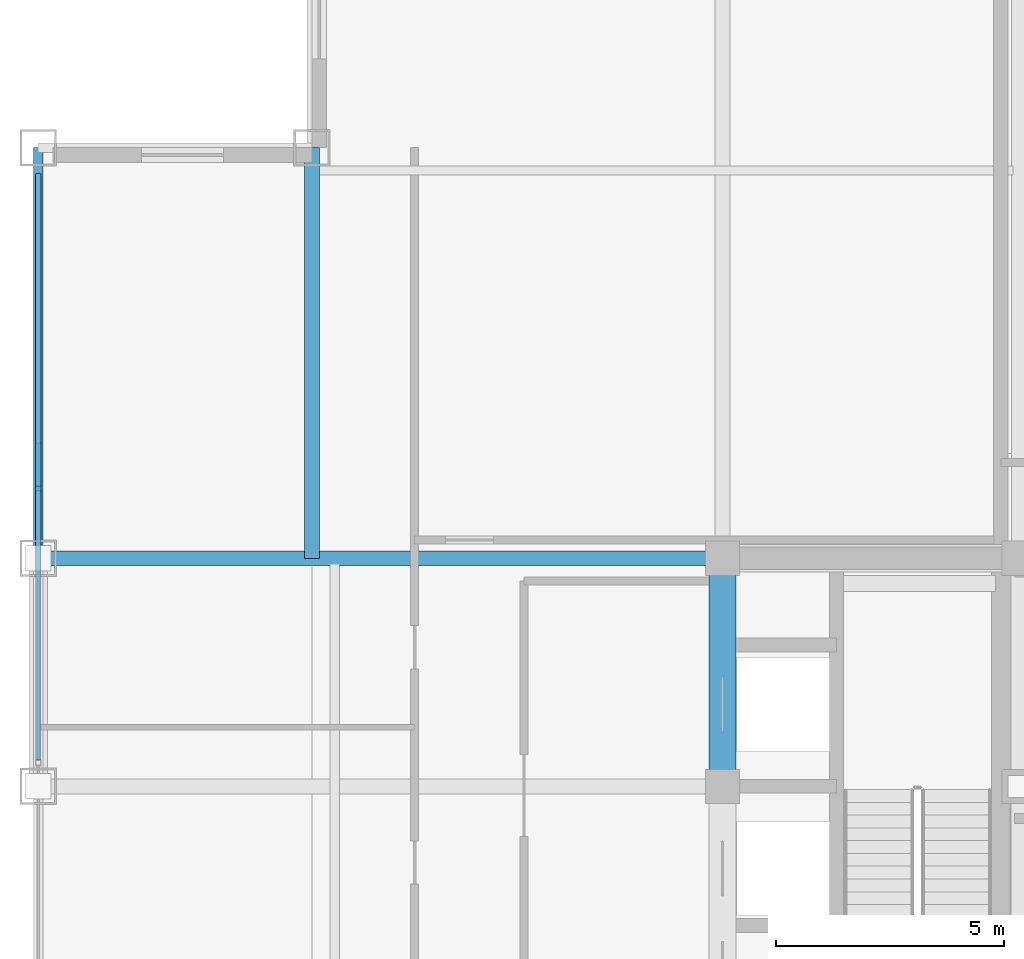
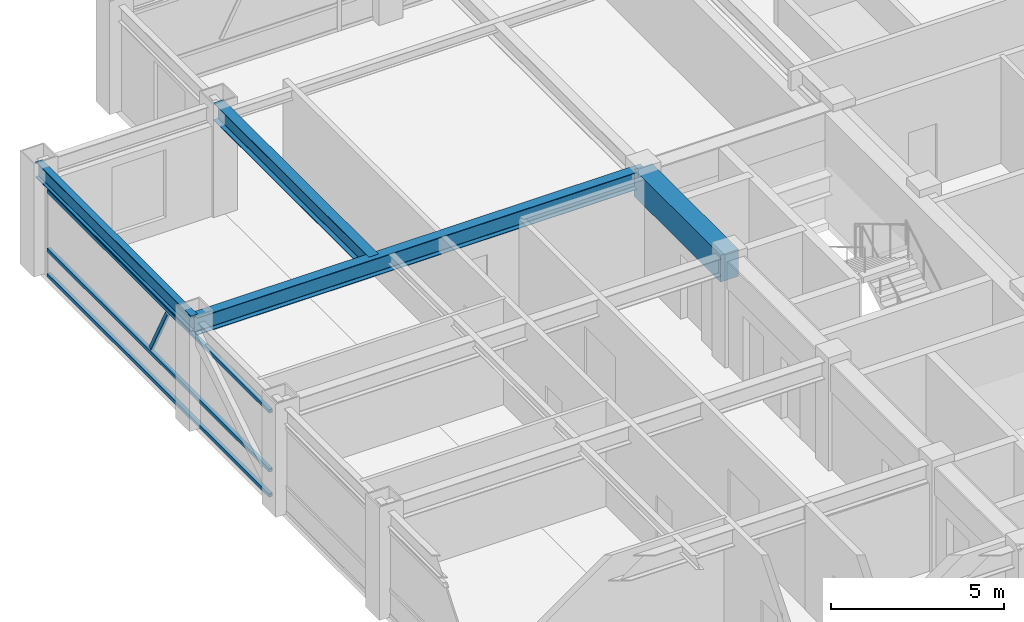
# One storey, part 16 of 29: 4 beams, 4 members, 1 element without a shape of its own.
"""IFC4 building model written with IfcOpenShell, lengths in metres."""

from ifc_helpers import new_model, si_unit, direction, frame, origin, origin_2d, place, context, subcontext, project, spatial, rectangle, hollow_rectangle, i_section, extrude, source, transform, mapped, material, material_profile, profile_set, type_object, element, aggregate, save


model = new_model("IFC4")

# Units and contexts
model_context = context("Model", 3, precision=1e-05, world=origin(), true_north=direction((0.0, 1.0)))
body_context = subcontext(model_context, "Body", "Model", "MODEL_VIEW")
ifc_project = project(units=[si_unit("LENGTHUNIT", "METRE"), si_unit("AREAUNIT", "SQUARE_METRE"), si_unit("VOLUMEUNIT", "CUBIC_METRE"), si_unit("PLANEANGLEUNIT", "RADIAN"), si_unit("MASSUNIT", "GRAM", prefix="KILO")], contexts=[model_context])

# Site, building, storey
site_placement = place(None, origin())
site = spatial("IfcSite", under=ifc_project, at=site_placement, CompositionType="ELEMENT")
building_placement = place(site_placement, origin())
building = spatial("IfcBuilding", under=site, at=building_placement, Name="Khorayat Bourse Tower", CompositionType="ELEMENT")
storey_placement = place(building_placement, frame((0.0, 0.0, 346.300048828125)))
storey = spatial("IfcBuildingStorey", under=building, at=storey_placement, Name="L82", CompositionType="ELEMENT", Elevation=346.300048828125)

# Beams
ifc_material_1 = material(Name="Concrete C60/75", Category="concrete")
ifc_material_profile_1 = material_profile(ifc_material_1, rectangle(XDim=0.60009765625, YDim=0.949951171875, at=origin_2d()), Name="RC 600x950")
ifc_profile_set_1 = profile_set([ifc_material_profile_1], Name="Concrete C60/75")
beam_type_1 = type_object("IfcBeamType", Name="BM-COUP-950", PredefinedType="BEAM", material=ifc_profile_set_1)
shared_shape_1 = source(origin(), body_context, "Body", "SweptSolid", [
    extrude(rectangle(XDim=0.60009765625, YDim=0.949951171875, at=origin_2d()), origin(), (0.0, 0.0, 1.0), 5.0),
])
beam_1_placement = place(storey_placement, frame((-11.0, 6.0, 3.264892578125), z_axis=(0.0, 1.0, 0.0), x_axis=(-1.0, 0.0, 0.0)))
element("IfcBeam", 1, at=beam_1_placement, inside=storey, type_object=beam_type_1, Name="L82 BM-COUP-950 BM-L82-CRX-04", PredefinedType="BEAM", context=body_context, shape_type="MappedRepresentation", body=[
    mapped(shared_shape_1, transform((0.0, 0.0, 0.0), scale=1.0)),
])
ifc_material_2 = material(Name="Steel ASTM A992 Grade 50", Category="steel")
ifc_material_profile_2 = material_profile(ifc_material_2, i_section(OverallWidth=0.214111328125, OverallDepth=0.549072265625, WebThickness=0.0146484375, FlangeThickness=0.023681640625, FilletRadius=0.013916015625, at=origin_2d()), Name="W530X138")
ifc_profile_set_2 = profile_set([ifc_material_profile_2], Name="Steel ASTM A992 Grade 50")
beam_type_2 = type_object("IfcBeamType", Name="BM-SPAN-530", PredefinedType="SPANDREL", material=ifc_profile_set_2)
shared_shape_2 = source(origin(), body_context, "Body", "SweptSolid", [
    extrude(i_section(OverallWidth=0.214111328125, OverallDepth=0.549072265625, WebThickness=0.0146484375, FlangeThickness=0.023681640625, FilletRadius=0.013916015625, at=origin_2d()), origin(), (0.0, 0.0, 1.0), 9.0),
])
beam_2_placement = place(storey_placement, frame((-26.0, 11.0, 3.46533203125), z_axis=(0.0, 1.0, 0.0), x_axis=(-1.0, 0.0, 0.0)))
element("IfcBeam", 2, at=beam_2_placement, inside=storey, type_object=beam_type_2, Name="L82 BM-SPAN-530 BM-L82-SPN-045", PredefinedType="SPANDREL", context=body_context, shape_type="MappedRepresentation", body=[
    mapped(shared_shape_2, transform((0.0, 0.0, 0.0), scale=1.0)),
])
ifc_material_profile_3 = material_profile(ifc_material_2, i_section(OverallWidth=0.324951171875, OverallDepth=0.615966796875, WebThickness=0.013916015625, FlangeThickness=0.021484375, FilletRadius=0.01611328125, at=origin_2d()), Name="W610X174")
ifc_profile_set_3 = profile_set([ifc_material_profile_3], Name="Steel ASTM A992 Grade 50")
beam_type_3 = type_object("IfcBeamType", Name="BM-GIRD-610", PredefinedType="BEAM", material=ifc_profile_set_3)
shared_shape_3 = source(origin(), body_context, "Body", "SweptSolid", [
    extrude(i_section(OverallWidth=0.324951171875, OverallDepth=0.615966796875, WebThickness=0.013916015625, FlangeThickness=0.021484375, FilletRadius=0.01611328125, at=origin_2d()), origin(), (0.0, 0.0, 1.0), 15.0),
])
beam_3_placement = place(storey_placement, frame((-26.0, 11.0, 3.431884765625), z_axis=(1.0, 0.0, 0.0), x_axis=(0.0, 1.0, 0.0)))
element("IfcBeam", 3, at=beam_3_placement, inside=storey, type_object=beam_type_3, Name="L82 BM-GIRD-610 BM-L82-RADX-070", PredefinedType="BEAM", context=body_context, shape_type="MappedRepresentation", body=[
    mapped(shared_shape_3, transform((0.0, 0.0, 0.0), scale=1.0)),
])
shared_shape_4 = source(origin(), body_context, "Body", "SweptSolid", [
    extrude(i_section(OverallWidth=0.324951171875, OverallDepth=0.615966796875, WebThickness=0.013916015625, FlangeThickness=0.021484375, FilletRadius=0.01611328125, at=origin_2d()), origin(), (0.0, 0.0, 1.0), 9.0),
])
beam_4_placement = place(storey_placement, frame((-20.0, 11.0, 3.431884765625), z_axis=(0.0, 1.0, 0.0), x_axis=(-1.0, 0.0, 0.0)))
element("IfcBeam", 4, at=beam_4_placement, inside=storey, type_object=beam_type_3, Name="L82 BM-GIRD-610 BM-L82-CNRY-072", PredefinedType="BEAM", context=body_context, shape_type="MappedRepresentation", body=[
    mapped(shared_shape_4, transform((0.0, 0.0, 0.0), scale=1.0)),
])

# Curtain wall, members
ifc_material_3 = material(Name="Aluminium EN AW-6063 T6", Category="aluminium")
curtain_wall_type = type_object("IfcCurtainWallType", Name="CW-SYS-06", PredefinedType="NOTDEFINED", material=ifc_material_3)
curtain_wall_placement = place(storey_placement, origin())
curtain_wall = element("IfcCurtainWall", 5, at=curtain_wall_placement, inside=storey, type_object=curtain_wall_type, Name="L82 Curtain Wall CW-L82-W1", PredefinedType="NOTDEFINED")
ifc_material_profile_4 = material_profile(ifc_material_3, hollow_rectangle(XDim=0.1201171875, YDim=0.1201171875, WallThickness=0.0048828125, at=origin_2d()), Name="ALU 120x120x5")
ifc_profile_set_4 = profile_set([ifc_material_profile_4], Name="Aluminium EN AW-6063 T6")
member_type_1 = type_object("IfcMemberType", Name="CWM-DIAG-120", PredefinedType="MULLION", material=ifc_profile_set_4)
shared_shape_5 = source(origin(), body_context, "Body", "SweptSolid", [
    extrude(hollow_rectangle(XDim=0.1201171875, YDim=0.1201171875, WallThickness=0.0048828125, at=origin_2d()), origin(), (0.0, 0.0, 1.0), 2.0341796875),
])
member_1_placement = place(storey_placement, frame((-26.0, 13.47705078125, 1.08984375), z_axis=(0.0, -0.465790950955, 0.884894790361), x_axis=(1.0, 0.0, 0.0)))
member_1 = element("IfcMember", 6, at=member_1_placement, type_object=member_type_1, Name="CW-L82-W1 Faceted Diagonal Mullion 1", PredefinedType="MULLION", context=body_context, shape_type="MappedRepresentation", body=[
    mapped(shared_shape_5, transform((0.0, 0.0, 0.0), scale=1.0)),
])
ifc_material_profile_5 = material_profile(ifc_material_3, hollow_rectangle(XDim=0.1201171875, YDim=0.1201171875, WallThickness=0.0048828125, at=origin_2d()), Name="ALU 120x120x5")
ifc_profile_set_5 = profile_set([ifc_material_profile_5], Name="Aluminium EN AW-6063 T6")
member_type_2 = type_object("IfcMemberType", Name="CWT-HORZ-120", PredefinedType="USERDEFINED", material=ifc_profile_set_5)
shared_shape_6 = source(origin(), body_context, "Body", "SweptSolid", [
    extrude(hollow_rectangle(XDim=0.1201171875, YDim=0.1201171875, WallThickness=0.0048828125, at=origin_2d()), origin(), (0.0, 0.0, 1.0), 12.853271484375),
])
member_2_placement = place(storey_placement, frame((-26.0, 19.429931640625, 0.06005859375), z_axis=(0.0, -1.0, 0.0), x_axis=(1.0, 0.0, 0.0)))
member_2 = element("IfcMember", 7, at=member_2_placement, type_object=member_type_2, Name="CW-L82-W1 Horizontal Transom 1-1", ObjectType="TRANSOM", PredefinedType="USERDEFINED", context=body_context, shape_type="MappedRepresentation", body=[
    mapped(shared_shape_6, transform((0.0, 0.0, 0.0), scale=1.0)),
])
member_3_placement = place(storey_placement, frame((-26.0, 19.429931640625, 0.949951171875), z_axis=(0.0, -1.0, 0.0), x_axis=(1.0, 0.0, 0.0)))
member_3 = element("IfcMember", 8, at=member_3_placement, type_object=member_type_2, Name="CW-L82-W1 Horizontal Transom 1-2", ObjectType="TRANSOM", PredefinedType="USERDEFINED", context=body_context, shape_type="MappedRepresentation", body=[
    mapped(shared_shape_6, transform((0.0, 0.0, 0.0), scale=1.0)),
])
member_4_placement = place(storey_placement, frame((-26.0, 19.429931640625, 3.030029296875), z_axis=(0.0, -1.0, 0.0), x_axis=(1.0, 0.0, 0.0)))
member_4 = element("IfcMember", 9, at=member_4_placement, type_object=member_type_2, Name="CW-L82-W1 Horizontal Transom 1-3", ObjectType="TRANSOM", PredefinedType="USERDEFINED", context=body_context, shape_type="MappedRepresentation", body=[
    mapped(shared_shape_6, transform((0.0, 0.0, 0.0), scale=1.0)),
])
aggregate(curtain_wall, [member_2, member_3, member_4, member_1])

save(model, "model.ifc")
